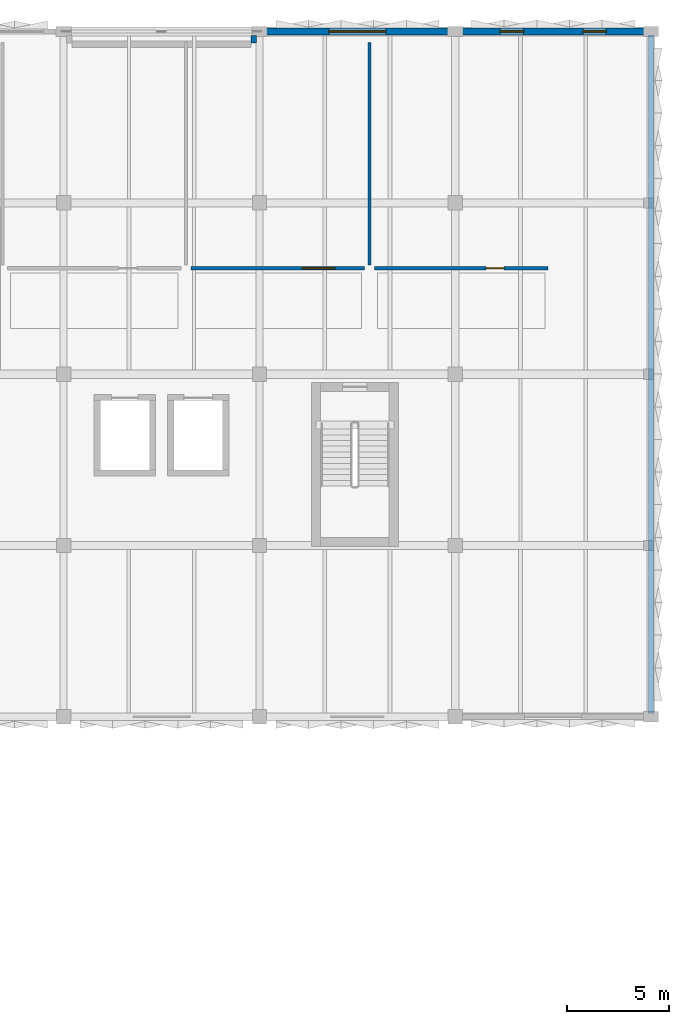
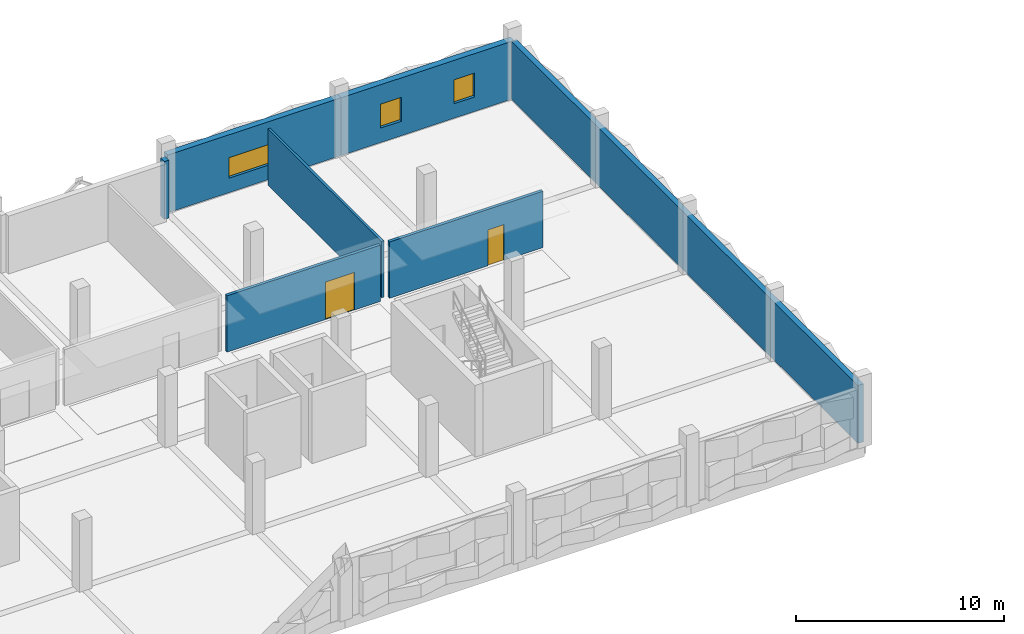
# One storey, part 47 of 57: 7 walls, 3 windows, 2 doors, 5 openings.
"""IFC4 building model written with IfcOpenShell, lengths in metres."""

from ifc_helpers import new_model, si_unit, direction, frame, frame_2d, origin, place, context, subcontext, project, spatial, rectangle, extrude, material, layer, layer_set, type_object, element, fill, save


model = new_model("IFC4")

# Units and contexts
model_context = context("Model", 3, precision=1e-05, world=origin(), true_north=direction((0.0, 1.0)))
body_context = subcontext(model_context, "Body", "Model", "MODEL_VIEW")
ifc_project = project(units=[si_unit("LENGTHUNIT", "METRE"), si_unit("AREAUNIT", "SQUARE_METRE"), si_unit("VOLUMEUNIT", "CUBIC_METRE"), si_unit("PLANEANGLEUNIT", "RADIAN"), si_unit("MASSUNIT", "GRAM", prefix="KILO")], contexts=[model_context])

# Site, building, storey
site_placement = place(None, origin())
site = spatial("IfcSite", under=ifc_project, at=site_placement, CompositionType="ELEMENT")
building_placement = place(site_placement, origin())
building = spatial("IfcBuilding", under=site, at=building_placement, Name="Oolite Switchyard Hospital", CompositionType="ELEMENT")
storey_placement = place(building_placement, frame((0.0, 0.0, 17.800048828125)))
storey = spatial("IfcBuildingStorey", under=building, at=storey_placement, Name="L04", CompositionType="ELEMENT", Elevation=17.800048828125)

# Walls
ifc_material_1 = material(Name="Precast oolitic limestone architectural concrete C40/50", Category="masonry")
ifc_layer_1 = layer(ifc_material_1, 0.260009765625)
ifc_layer_set_1 = layer_set([ifc_layer_1], Name="WAL-EXT-260")
wall_type_1 = type_object("IfcWallType", Name="WAL-EXT-260", PredefinedType="SOLIDWALL", material=ifc_layer_set_1)
wall_1_placement = place(storey_placement, frame((191.719970703125, 134.199951171875, 0.0), z_axis=(0.0, 0.0, 1.0), x_axis=(0.0, -1.0, 0.0)))
element("IfcWall", 1, at=wall_1_placement, inside=storey, type_object=wall_type_1, Name="L04 Brace Alcove Cheek Wall 278", PredefinedType="SOLIDWALL", context=body_context, shape_type="SweptSolid", body=[
    extrude(rectangle(XDim=0.35986328125, YDim=0.260009765625, at=frame_2d((0.179931640625, 0.0))), origin(), (0.0, 0.0, 1.0), 3.389892578125),
])
ifc_layer_2 = layer(ifc_material_1, 0.300048828125)
ifc_layer_set_2 = layer_set([ifc_layer_2], Name="WAL-EXT-300")
wall_type_2 = type_object("IfcWallType", Name="WAL-EXT-300", PredefinedType="SOLIDWALL", material=ifc_layer_set_2)
wall_2_placement = place(storey_placement, frame((211.199951171875, 134.239990234375, 0.0), z_axis=(0.0, 0.0, 1.0), x_axis=(0.0, -1.0, 0.0)))
element("IfcWall", 2, at=wall_2_placement, inside=storey, type_object=wall_type_2, Name="L04 Exterior Spandrel Wall 306", PredefinedType="SOLIDWALL", context=body_context, shape_type="SweptSolid", body=[
    extrude(rectangle(XDim=33.280029296875, YDim=0.300048828125, at=frame_2d((16.64013671875, 0.0))), origin(), (0.0, 0.0, 1.0), 3.389892578125),
])

# Wall, opening, window
ifc_layer_3 = layer(ifc_material_1, 0.340087890625)
ifc_layer_set_3 = layer_set([ifc_layer_3], Name="WAL-EXT-340")
wall_type_3 = type_object("IfcWallType", Name="WAL-EXT-340", PredefinedType="SOLIDWALL", material=ifc_layer_set_3)
wall_3_placement = place(storey_placement, frame((192.0, 134.39990234375, 0.0), z_axis=(0.0, 0.0, 1.0), x_axis=(1.0, 0.0, 0.0)))
wall_3 = element("IfcWall", 3, at=wall_3_placement, inside=storey, type_object=wall_type_3, Name="L04 Exterior Spandrel Wall 280", PredefinedType="SOLIDWALL", context=body_context, shape_type="SweptSolid", body=[
    extrude(rectangle(XDim=9.60009765625, YDim=0.340087890625, at=frame_2d((4.800048828125, 0.0))), origin(), (0.0, 0.0, 1.0), 3.389892578125),
])
opening_1_placement = place(wall_3_placement, frame((3.39990234375, 0.0, 0.85009765625)))
opening_1 = element("IfcOpeningElement", 4, at=opening_1_placement, cuts=wall_3, Name="Opening WN-0170", PredefinedType="OPENING", context=body_context, shape_type="SweptSolid", body=[
    extrude(rectangle(XDim=2.800048828125, YDim=1.199951171875, at=frame_2d((1.39990234375, 0.60009765625))), frame((0.0, 0.18017578125, 0.0), z_axis=(0.0, -1.0, 0.0), x_axis=(1.0, 0.0, 0.0)), (0.0, 0.0, 1.0), 0.360107421875),
])
ifc_material_2 = material(Name="Thermally broken aluminum frame with laminated impact glazing", Category="aluminium")
window_type_1 = type_object("IfcWindowType", Name="WIN-IMP-280X120", PartitioningType="SINGLE_PANEL", PredefinedType="WINDOW", material=ifc_material_2)
window_1_placement = place(opening_1_placement, origin())
window_1 = element("IfcWindow", 5, at=window_1_placement, inside=storey, type_object=window_type_1, Name="L04 Hurricane Impact Window WN-0170", OverallHeight=1.199951171875, OverallWidth=2.800048828125, PartitioningType="SINGLE_PANEL", PredefinedType="WINDOW", context=body_context, shape_type="SweptSolid", body=[
    extrude(rectangle(XDim=2.800048828125, YDim=1.199951171875, at=frame_2d((1.39990234375, 0.60009765625))), frame((0.0, 0.030029296875, 0.0), z_axis=(0.0, -1.0, 0.0), x_axis=(1.0, 0.0, 0.0)), (0.0, 0.0, 1.0), 0.06005859375),
])
fill(opening_1, window_1)

# Wall, openings, windows
ifc_layer_4 = layer(ifc_material_1, 0.360107421875)
ifc_layer_set_4 = layer_set([ifc_layer_4], Name="WAL-EXT-360")
wall_type_4 = type_object("IfcWallType", Name="WAL-EXT-360", PredefinedType="SOLIDWALL", material=ifc_layer_set_4)
wall_4_placement = place(storey_placement, frame((201.60009765625, 134.39990234375, 0.0), z_axis=(0.0, 0.0, 1.0), x_axis=(1.0, 0.0, 0.0)))
wall_4 = element("IfcWall", 6, at=wall_4_placement, inside=storey, type_object=wall_type_4, Name="L04 Exterior Spandrel Wall 281", PredefinedType="SOLIDWALL", context=body_context, shape_type="SweptSolid", body=[
    extrude(rectangle(XDim=9.599853515625, YDim=0.360107421875, at=frame_2d((4.7998046875, 0.0))), origin(), (0.0, 0.0, 1.0), 3.389892578125),
])
opening_2_placement = place(wall_4_placement, frame((2.197021484375, 0.0, 0.85009765625)))
opening_2 = element("IfcOpeningElement", 7, at=opening_2_placement, cuts=wall_4, Name="Opening WN-0171", PredefinedType="OPENING", context=body_context, shape_type="SweptSolid", body=[
    extrude(rectangle(XDim=1.14990234375, YDim=1.39990234375, at=frame_2d((0.574951171875, 0.699951171875))), frame((0.0, 0.18994140625, 0.0), z_axis=(0.0, -1.0, 0.0), x_axis=(1.0, 0.0, 0.0)), (0.0, 0.0, 1.0), 0.380126953125),
])
opening_3_placement = place(wall_4_placement, frame((6.2529296875, 0.0, 0.85009765625)))
opening_3 = element("IfcOpeningElement", 8, at=opening_3_placement, cuts=wall_4, Name="Opening WN-0172", PredefinedType="OPENING", context=body_context, shape_type="SweptSolid", body=[
    extrude(rectangle(XDim=1.14990234375, YDim=1.39990234375, at=frame_2d((0.574951171875, 0.699951171875))), frame((0.0, 0.18994140625, 0.0), z_axis=(0.0, -1.0, 0.0), x_axis=(1.0, 0.0, 0.0)), (0.0, 0.0, 1.0), 0.380126953125),
])
window_type_2 = type_object("IfcWindowType", Name="WIN-IMP-115X140", PartitioningType="SINGLE_PANEL", PredefinedType="WINDOW", material=ifc_material_2)
window_2_placement = place(opening_2_placement, origin())
window_2 = element("IfcWindow", 9, at=window_2_placement, inside=storey, type_object=window_type_2, Name="L04 Hurricane Impact Window WN-0171", OverallHeight=1.39990234375, OverallWidth=1.14990234375, PartitioningType="SINGLE_PANEL", PredefinedType="WINDOW", context=body_context, shape_type="SweptSolid", body=[
    extrude(rectangle(XDim=1.14990234375, YDim=1.39990234375, at=frame_2d((0.574951171875, 0.699951171875))), frame((0.0, 0.030029296875, 0.0), z_axis=(0.0, -1.0, 0.0), x_axis=(1.0, 0.0, 0.0)), (0.0, 0.0, 1.0), 0.06005859375),
])
fill(opening_2, window_2)
window_3_placement = place(opening_3_placement, origin())
window_3 = element("IfcWindow", 10, at=window_3_placement, inside=storey, type_object=window_type_2, Name="L04 Hurricane Impact Window WN-0172", OverallHeight=1.39990234375, OverallWidth=1.14990234375, PartitioningType="SINGLE_PANEL", PredefinedType="WINDOW", context=body_context, shape_type="SweptSolid", body=[
    extrude(rectangle(XDim=1.14990234375, YDim=1.39990234375, at=frame_2d((0.574951171875, 0.699951171875))), frame((0.0, 0.030029296875, 0.0), z_axis=(0.0, -1.0, 0.0), x_axis=(1.0, 0.0, 0.0)), (0.0, 0.0, 1.0), 0.06005859375),
])
fill(opening_3, window_3)

# Wall
ifc_material_3 = material(Name="Moisture-resistant gypsum board on steel studs", Category="steel")
ifc_layer_5 = layer(ifc_material_3, 0.135009765625)
ifc_layer_set_5 = layer_set([ifc_layer_5], Name="WAL-PART-135")
wall_type_5 = type_object("IfcWallType", Name="WAL-PART-135", PredefinedType="PARTITIONING", material=ifc_layer_set_5)
wall_5_placement = place(storey_placement, frame((197.39990234375, 122.949951171875, 0.0), z_axis=(0.0, 0.0, 1.0), x_axis=(0.0, 1.0, 0.0)))
element("IfcWall", 11, at=wall_5_placement, inside=storey, type_object=wall_type_5, Name="L04 Interior Partition 784", PredefinedType="PARTITIONING", context=body_context, shape_type="SweptSolid", body=[
    extrude(rectangle(XDim=10.900146484375, YDim=0.135009765625, at=frame_2d((5.4501953125, 0.0))), origin(), (0.0, 0.0, 1.0), 3.300048828125),
])

# Wall, opening, door
ifc_layer_6 = layer(ifc_material_3, 0.1650390625)
ifc_layer_set_6 = layer_set([ifc_layer_6], Name="WAL-PART-165")
wall_type_6 = type_object("IfcWallType", Name="WAL-PART-165", PredefinedType="PARTITIONING", material=ifc_layer_set_6)
wall_6_placement = place(storey_placement, frame((188.64990234375, 122.800048828125, 0.0), z_axis=(0.0, 0.0, 1.0), x_axis=(1.0, 0.0, 0.0)))
wall_6 = element("IfcWall", 12, at=wall_6_placement, inside=storey, type_object=wall_type_6, Name="L04 Interior Partition 781", PredefinedType="PARTITIONING", context=body_context, shape_type="SweptSolid", body=[
    extrude(rectangle(XDim=8.5, YDim=0.1650390625, at=frame_2d((4.25, 0.0))), origin(), (0.0, 0.0, 1.0), 3.300048828125),
])
opening_4_placement = place(wall_6_placement, frame((5.449951171875, 0.0, 0.0)))
opening_4 = element("IfcOpeningElement", 13, at=opening_4_placement, cuts=wall_6, Name="Opening D-0434", PredefinedType="OPENING", context=body_context, shape_type="SweptSolid", body=[
    extrude(rectangle(XDim=1.60009765625, YDim=2.199951171875, at=frame_2d((0.800048828125, 1.10009765625))), frame((0.0, 0.092529296875, 0.0), z_axis=(0.0, -1.0, 0.0), x_axis=(1.0, 0.0, 0.0)), (0.0, 0.0, 1.0), 0.18505859375),
])
ifc_material_4 = material(Name="Hollow metal fire-rated steel door assembly", Category="steel")
door_type_1 = type_object("IfcDoorType", Name="DR-DBL-160X220", OperationType="NOTDEFINED", PredefinedType="DOOR", material=ifc_material_4)
door_1_placement = place(opening_4_placement, origin())
door_1 = element("IfcDoor", 14, at=door_1_placement, inside=storey, type_object=door_type_1, Name="L04 Interior Door D-0434", OperationType="DOUBLE_DOOR_SINGLE_SWING", OverallHeight=2.199951171875, OverallWidth=1.60009765625, PredefinedType="DOOR", context=body_context, shape_type="SweptSolid", body=[
    extrude(rectangle(XDim=1.60009765625, YDim=2.199951171875, at=frame_2d((0.800048828125, 1.10009765625))), frame((0.0, 0.02490234375, 0.0), z_axis=(0.0, -1.0, 0.0), x_axis=(1.0, 0.0, 0.0)), (0.0, 0.0, 1.0), 0.050048828125),
])
fill(opening_4, door_1)

wall_7_placement = place(storey_placement, frame((197.64990234375, 122.800048828125, 0.0), z_axis=(0.0, 0.0, 1.0), x_axis=(1.0, 0.0, 0.0)))
wall_7 = element("IfcWall", 15, at=wall_7_placement, inside=storey, type_object=wall_type_6, Name="L04 Interior Partition 783", PredefinedType="PARTITIONING", context=body_context, shape_type="SweptSolid", body=[
    extrude(rectangle(XDim=8.5, YDim=0.1650390625, at=frame_2d((4.25, 0.0))), origin(), (0.0, 0.0, 1.0), 3.300048828125),
])
opening_5_placement = place(wall_7_placement, frame((5.449951171875, 0.0, 0.0)))
opening_5 = element("IfcOpeningElement", 16, at=opening_5_placement, cuts=wall_7, Name="Opening D-0435", PredefinedType="OPENING", context=body_context, shape_type="SweptSolid", body=[
    extrude(rectangle(XDim=0.89990234375, YDim=2.10009765625, at=frame_2d((0.449951171875, 1.050048828125))), frame((0.0, 0.092529296875, 0.0), z_axis=(0.0, -1.0, 0.0), x_axis=(1.0, 0.0, 0.0)), (0.0, 0.0, 1.0), 0.18505859375),
])
ifc_material_5 = material(Name="Solid-core antimicrobial hardwood leaf in steel frame", Category="steel")
door_type_2 = type_object("IfcDoorType", Name="DR-BATH-090X210", OperationType="NOTDEFINED", PredefinedType="DOOR", material=ifc_material_5)
door_2_placement = place(opening_5_placement, origin())
door_2 = element("IfcDoor", 17, at=door_2_placement, inside=storey, type_object=door_type_2, Name="L04 Interior Door D-0435", OperationType="SINGLE_SWING_LEFT", OverallHeight=2.10009765625, OverallWidth=0.89990234375, PredefinedType="DOOR", context=body_context, shape_type="SweptSolid", body=[
    extrude(rectangle(XDim=0.89990234375, YDim=2.10009765625, at=frame_2d((0.449951171875, 1.050048828125))), frame((0.0, 0.02490234375, 0.0), z_axis=(0.0, -1.0, 0.0), x_axis=(1.0, 0.0, 0.0)), (0.0, 0.0, 1.0), 0.050048828125),
])
fill(opening_5, door_2)

save(model, "model.ifc")
